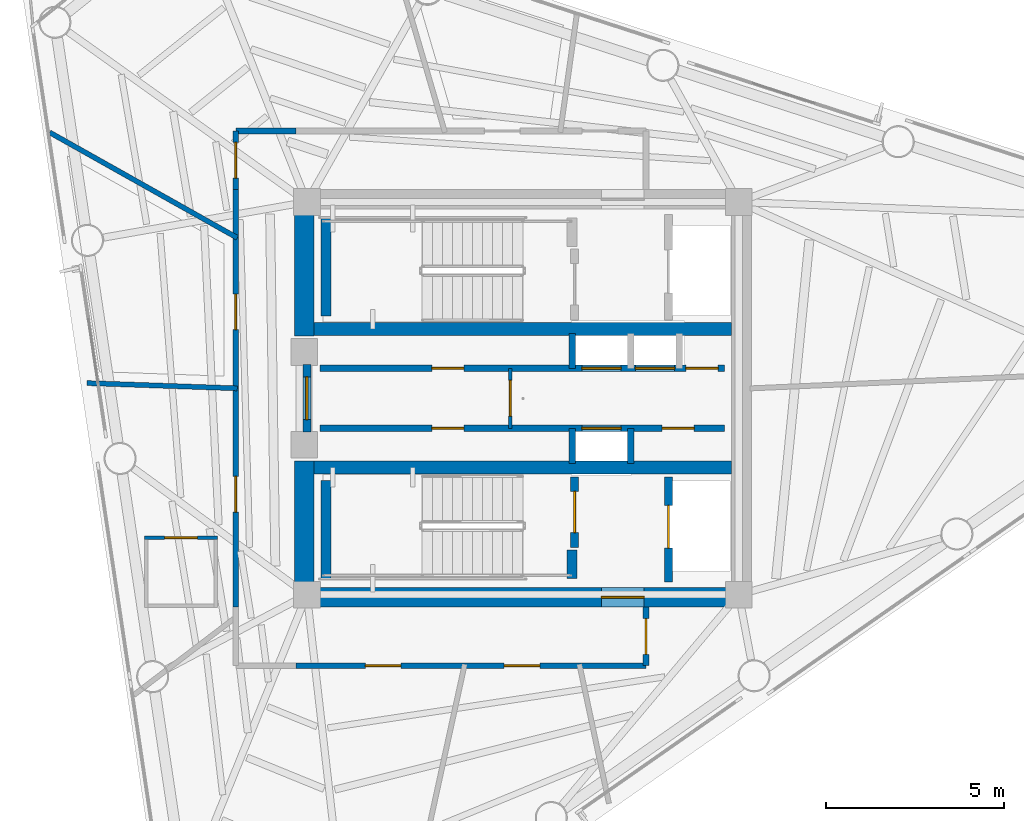
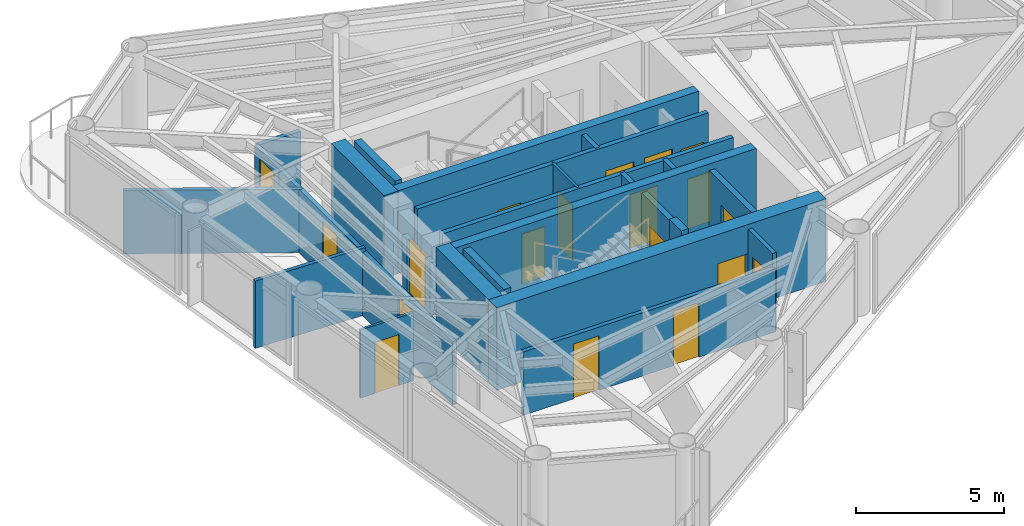
# One storey, part 5 of 9: 25 walls, 19 doors, 19 openings.
"""IFC4 building model written with IfcOpenShell, lengths in metres."""

from ifc_helpers import new_model, si_unit, direction, frame, frame_2d, origin, place, context, subcontext, project, spatial, rectangle, extrude, material, layer, layer_set, type_object, element, fill, save


model = new_model("IFC4")

# Units and contexts
model_context = context("Model", 3, precision=1e-05, world=origin(), true_north=direction((0.0, 1.0)))
body_context = subcontext(model_context, "Body", "Model", "MODEL_VIEW")
ifc_project = project(units=[si_unit("LENGTHUNIT", "METRE"), si_unit("AREAUNIT", "SQUARE_METRE"), si_unit("VOLUMEUNIT", "CUBIC_METRE"), si_unit("PLANEANGLEUNIT", "RADIAN"), si_unit("MASSUNIT", "GRAM", prefix="KILO")], contexts=[model_context])

# Site, building, storey
site_placement = place(None, origin())
site = spatial("IfcSite", under=ifc_project, at=site_placement, CompositionType="ELEMENT")
building_placement = place(site_placement, origin())
building = spatial("IfcBuilding", under=site, at=building_placement, Name="Yunling Apex Tower", CompositionType="ELEMENT")
storey_placement = place(building_placement, frame((0.0, 0.0, 257.550048828125)))
storey = spatial("IfcBuildingStorey", under=building, at=storey_placement, Name="L62", CompositionType="ELEMENT", Elevation=257.550048828125)

# Wall, opening, door
ifc_material_1 = material(Name="Concrete C40", Category="concrete")
ifc_layer_1 = layer(ifc_material_1, 0.550048828125)
ifc_layer_set_1 = layer_set([ifc_layer_1], Name="Concrete C40")
wall_type_1 = type_object("IfcWallType", Name="WL-COR-3", PredefinedType="SHEAR", material=ifc_layer_set_1)
wall_1_placement = place(storey_placement, frame((-6.39990234375, -5.574951171875, 0.0), z_axis=(0.0, 0.0, 1.0), x_axis=(1.0, 0.0, 0.0)))
wall_1 = element("IfcWall", 1, at=wall_1_placement, inside=storey, type_object=wall_type_1, Name="L62 South Core Shear Wall", PredefinedType="SHEAR", context=body_context, shape_type="SweptSolid", body=[
    extrude(rectangle(XDim=12.7998046875, YDim=0.550048828125, at=frame_2d((6.39990234375, 0.0))), origin(), (0.0, 0.0, 1.0), 3.39990234375),
])
opening_1_placement = place(wall_1_placement, frame((8.60009765625, 0.0, 0.0)))
opening_1 = element("IfcOpeningElement", 2, at=opening_1_placement, cuts=wall_1, Name="Opening DR-FFL-1", PredefinedType="OPENING", context=body_context, shape_type="SweptSolid", body=[
    extrude(rectangle(XDim=1.199951171875, YDim=2.199951171875, at=frame_2d((0.60009765625, 1.10009765625))), frame((0.0, 0.28515625, 0.0), z_axis=(0.0, -1.0, 0.0), x_axis=(1.0, 0.0, 0.0)), (0.0, 0.0, 1.0), 0.570068359375),
])
ifc_material_2 = material(Name="Steel Q355B", Category="steel")
door_type_1 = type_object("IfcDoorType", Name="DR-FFL-1", OperationType="NOTDEFINED", PredefinedType="DOOR", material=ifc_material_2)
door_1_placement = place(opening_1_placement, origin())
door_1 = element("IfcDoor", 3, at=door_1_placement, inside=storey, type_object=door_type_1, Name="L62 South Firefighting Lobby Door", OperationType="SINGLE_SWING_RIGHT", OverallHeight=2.199951171875, OverallWidth=1.199951171875, PredefinedType="DOOR", context=body_context, shape_type="SweptSolid", body=[
    extrude(rectangle(XDim=1.199951171875, YDim=2.199951171875, at=frame_2d((0.60009765625, 1.10009765625))), frame((0.0, 0.02490234375, 0.0), z_axis=(0.0, -1.0, 0.0), x_axis=(1.0, 0.0, 0.0)), (0.0, 0.0, 1.0), 0.050048828125),
])
fill(opening_1, door_1)

# Walls
for number, where, z_axis, x_axis, name in (
    (4, (-6.125, -5.300048828125, 0.0), (0.0, 0.0, 1.0), (0.0, 1.0, 0.0), "L62 West-South Core Shear Wall"),
    (5, (-6.125, 1.75, 0.0), (0.0, 0.0, 1.0), (0.0, 1.0, 0.0), "L62 West-North Core Shear Wall"),
):
    element("IfcWall", number, at=place(storey_placement, frame(where, z_axis=z_axis, x_axis=x_axis)), inside=storey, type_object=wall_type_1, Name=name, PredefinedType="SHEAR", context=body_context, shape_type="SweptSolid", body=[
        extrude(rectangle(XDim=3.550048828125, YDim=0.550048828125, at=frame_2d((1.77490234375, 0.0))), origin(), (0.0, 0.0, 1.0), 3.39990234375),
    ])
ifc_layer_2 = layer(ifc_material_1, 0.360107421875)
ifc_layer_set_2 = layer_set([ifc_layer_2], Name="Concrete C40")
wall_type_2 = type_object("IfcWallType", Name="WL-COR-4", PredefinedType="SHEAR", material=ifc_layer_set_2)
for number, where, z_axis, x_axis, name in (
    (6, (-5.85009765625, 1.93994140625, 0.0), (0.0, 0.0, 1.0), (1.0, 0.0, 0.0), "L62 North Internal Core Shear Wall"),
    (7, (-5.85009765625, -1.93994140625, 0.0), (0.0, 0.0, 1.0), (1.0, 0.0, 0.0), "L62 South Internal Core Shear Wall"),
):
    element("IfcWall", number, at=place(storey_placement, frame(where, z_axis=z_axis, x_axis=x_axis)), inside=storey, type_object=wall_type_2, Name=name, PredefinedType="SHEAR", context=body_context, shape_type="SweptSolid", body=[
        extrude(rectangle(XDim=11.7001953125, YDim=0.360107421875, at=frame_2d((5.85009765625, 0.0))), origin(), (0.0, 0.0, 1.0), 3.39990234375),
    ])
ifc_layer_3 = layer(ifc_material_1, 0.280029296875)
ifc_layer_set_3 = layer_set([ifc_layer_3], Name="Concrete C40")
wall_type_3 = type_object("IfcWallType", Name="WL-COR-8", PredefinedType="SHEAR", material=ifc_layer_set_3)
for number, where, z_axis, x_axis, name in (
    (8, (-5.52001953125, 2.300048828125, 0.0), (0.0, 0.0, 1.0), (0.0, 1.0, 0.0), "L62 ST-1 West Landing Bearing Wall"),
    (9, (-5.52001953125, -5.050048828125, 0.0), (0.0, 0.0, 1.0), (0.0, 1.0, 0.0), "L62 ST-2 West Landing Bearing Wall"),
):
    element("IfcWall", number, at=place(storey_placement, frame(where, z_axis=z_axis, x_axis=x_axis)), inside=storey, type_object=wall_type_3, Name=name, PredefinedType="SHEAR", context=body_context, shape_type="SweptSolid", body=[
        extrude(rectangle(XDim=2.75, YDim=0.280029296875, at=frame_2d((1.375, 0.0))), origin(), (0.0, 0.0, 1.0), 3.39990234375),
    ])
wall_2_placement = place(storey_placement, frame((1.3798828125, -5.050048828125, 0.0), z_axis=(0.0, 0.0, 1.0), x_axis=(0.0, 1.0, 0.0)))
element("IfcWall", 10, at=wall_2_placement, inside=storey, type_object=wall_type_3, Name="L62 ST-2 East Landing Bearing Pier", PredefinedType="SHEAR", context=body_context, shape_type="SweptSolid", body=[
    extrude(rectangle(XDim=0.800048828125, YDim=0.280029296875, at=frame_2d((0.39990234375, 0.0))), origin(), (0.0, 0.0, 1.0), 3.39990234375),
])

# Wall, opening, door
ifc_material_3 = material(Name="Gypsum board acoustic partition")
ifc_layer_4 = layer(ifc_material_3, 0.159912109375)
ifc_layer_set_4 = layer_set([ifc_layer_4], Name="Gypsum board acoustic partition")
wall_type_4 = type_object("IfcWallType", Name="WL-PRT-1", PredefinedType="PARTITIONING", material=ifc_layer_set_4)
wall_3_placement = place(storey_placement, frame((-8.0400390625, 5.85009765625, 0.0), z_axis=(0.0, 0.0, 1.0), x_axis=(0.0, 1.0, 0.0)))
wall_3 = element("IfcWall", 11, at=wall_3_placement, inside=storey, type_object=wall_type_4, Name="WL-CORR-L62-01", PredefinedType="PARTITIONING", context=body_context, shape_type="SweptSolid", body=[
    extrude(rectangle(XDim=1.639892578125, YDim=0.159912109375, at=frame_2d((0.81982421875, 0.0))), origin(), (0.0, 0.0, 1.0), 2.60498046875),
])
opening_2_placement = place(wall_3_placement, frame((0.320068359375, 0.0, 0.0)))
opening_2 = element("IfcOpeningElement", 12, at=opening_2_placement, cuts=wall_3, Name="Opening DR-OFF-1", PredefinedType="OPENING", context=body_context, shape_type="SweptSolid", body=[
    extrude(rectangle(XDim=1.0, YDim=2.25, at=frame_2d((0.5, 1.125))), frame((0.0, 0.08984375, 0.0), z_axis=(0.0, -1.0, 0.0), x_axis=(1.0, 0.0, 0.0)), (0.0, 0.0, 1.0), 0.179931640625),
])
ifc_material_4 = material(Name="Bronze anodised aluminium", Category="aluminium")
door_type_2 = type_object("IfcDoorType", Name="DR-OFF-1", OperationType="NOTDEFINED", PredefinedType="DOOR", material=ifc_material_4)
door_2_placement = place(opening_2_placement, origin())
door_2 = element("IfcDoor", 13, at=door_2_placement, inside=storey, type_object=door_type_2, Name="L62 Residents Music Lounge Door", OperationType="SINGLE_SWING_LEFT", OverallHeight=2.25, OverallWidth=1.0, PredefinedType="DOOR", context=body_context, shape_type="SweptSolid", body=[
    extrude(rectangle(XDim=1.0, YDim=2.25, at=frame_2d((0.5, 1.125))), frame((0.0, 0.02490234375, 0.0), z_axis=(0.0, -1.0, 0.0), x_axis=(1.0, 0.0, 0.0)), (0.0, 0.0, 1.0), 0.050048828125),
])
fill(opening_2, door_2)

# Wall
wall_4_placement = place(storey_placement, frame((-8.0400390625, 7.489990234375, 0.0), z_axis=(0.0, 0.0, 1.0), x_axis=(1.0, 0.0, 0.0)))
element("IfcWall", 14, at=wall_4_placement, inside=storey, type_object=wall_type_4, Name="WL-CORR-L62-02", PredefinedType="PARTITIONING", context=body_context, shape_type="SweptSolid", body=[
    extrude(rectangle(XDim=1.679931640625, YDim=0.159912109375, at=frame_2d((0.83984375, 0.0))), origin(), (0.0, 0.0, 1.0), 2.60498046875),
])

# Wall, opening, door
wall_5_placement = place(storey_placement, frame((3.449951171875, -5.85009765625, 0.0), z_axis=(0.0, 0.0, 1.0), x_axis=(0.0, -1.0, 0.0)))
wall_5 = element("IfcWall", 15, at=wall_5_placement, inside=storey, type_object=wall_type_4, Name="WL-CORR-L62-05", PredefinedType="PARTITIONING", context=body_context, shape_type="SweptSolid", body=[
    extrude(rectangle(XDim=1.639892578125, YDim=0.159912109375, at=frame_2d((0.81982421875, 0.0))), origin(), (0.0, 0.0, 1.0), 3.199951171875),
])
opening_3_placement = place(wall_5_placement, frame((0.320068359375, 0.0, 0.0)))
opening_3 = element("IfcOpeningElement", 16, at=opening_3_placement, cuts=wall_5, Name="Opening DR-OFF-1", PredefinedType="OPENING", context=body_context, shape_type="SweptSolid", body=[
    extrude(rectangle(XDim=1.0, YDim=2.25, at=frame_2d((0.5, 1.125))), frame((0.0, 0.08984375, 0.0), z_axis=(0.0, -1.0, 0.0), x_axis=(1.0, 0.0, 0.0)), (0.0, 0.0, 1.0), 0.179931640625),
])
door_3_placement = place(opening_3_placement, origin())
door_3 = element("IfcDoor", 17, at=door_3_placement, inside=storey, type_object=door_type_2, Name="L62 Wellness Yoga Club Door", OperationType="SINGLE_SWING_RIGHT", OverallHeight=2.25, OverallWidth=1.0, PredefinedType="DOOR", context=body_context, shape_type="SweptSolid", body=[
    extrude(rectangle(XDim=1.0, YDim=2.25, at=frame_2d((0.5, 1.125))), frame((0.0, 0.02490234375, 0.0), z_axis=(0.0, -1.0, 0.0), x_axis=(1.0, 0.0, 0.0)), (0.0, 0.0, 1.0), 0.050048828125),
])
fill(opening_3, door_3)

# Wall, openings, doors
wall_6_placement = place(storey_placement, frame((3.449951171875, -7.489990234375, 0.0), z_axis=(0.0, 0.0, 1.0), x_axis=(-1.0, 0.0, 0.0)))
wall_6 = element("IfcWall", 18, at=wall_6_placement, inside=storey, type_object=wall_type_4, Name="WL-CORR-L62-06", PredefinedType="PARTITIONING", context=body_context, shape_type="SweptSolid", body=[
    extrude(rectangle(XDim=9.81005859375, YDim=0.159912109375, at=frame_2d((4.905029296875, 0.0))), origin(), (0.0, 0.0, 1.0), 2.60498046875),
])
opening_4_placement = place(wall_6_placement, frame((2.972900390625, 0.0, 0.0)))
opening_4 = element("IfcOpeningElement", 19, at=opening_4_placement, cuts=wall_6, Name="Opening DR-OFF-1", PredefinedType="OPENING", context=body_context, shape_type="SweptSolid", body=[
    extrude(rectangle(XDim=1.0, YDim=2.25, at=frame_2d((0.5, 1.125))), frame((0.0, 0.08984375, 0.0), z_axis=(0.0, -1.0, 0.0), x_axis=(1.0, 0.0, 0.0)), (0.0, 0.0, 1.0), 0.179931640625),
])
opening_5_placement = place(wall_6_placement, frame((6.864501953125, 0.0, 0.0)))
opening_5 = element("IfcOpeningElement", 20, at=opening_5_placement, cuts=wall_6, Name="Opening DR-OFF-1", PredefinedType="OPENING", context=body_context, shape_type="SweptSolid", body=[
    extrude(rectangle(XDim=1.0, YDim=2.25, at=frame_2d((0.5, 1.125))), frame((0.0, 0.08984375, 0.0), z_axis=(0.0, -1.0, 0.0), x_axis=(1.0, 0.0, 0.0)), (0.0, 0.0, 1.0), 0.179931640625),
])
door_4_placement = place(opening_4_placement, origin())
door_4 = element("IfcDoor", 21, at=door_4_placement, inside=storey, type_object=door_type_2, Name="L62 Residents Music Lounge Door", OperationType="SINGLE_SWING_LEFT", OverallHeight=2.25, OverallWidth=1.0, PredefinedType="DOOR", context=body_context, shape_type="SweptSolid", body=[
    extrude(rectangle(XDim=1.0, YDim=2.25, at=frame_2d((0.5, 1.125))), frame((0.0, 0.02490234375, 0.0), z_axis=(0.0, -1.0, 0.0), x_axis=(1.0, 0.0, 0.0)), (0.0, 0.0, 1.0), 0.050048828125),
])
fill(opening_4, door_4)
door_5_placement = place(opening_5_placement, origin())
door_5 = element("IfcDoor", 22, at=door_5_placement, inside=storey, type_object=door_type_2, Name="L62 Wellness Yoga Club Door", OperationType="SINGLE_SWING_RIGHT", OverallHeight=2.25, OverallWidth=1.0, PredefinedType="DOOR", context=body_context, shape_type="SweptSolid", body=[
    extrude(rectangle(XDim=1.0, YDim=2.25, at=frame_2d((0.5, 1.125))), frame((0.0, 0.02490234375, 0.0), z_axis=(0.0, -1.0, 0.0), x_axis=(1.0, 0.0, 0.0)), (0.0, 0.0, 1.0), 0.050048828125),
])
fill(opening_5, door_5)

wall_7_placement = place(storey_placement, frame((-8.0400390625, -5.85009765625, 0.0), z_axis=(0.0, 0.0, 1.0), x_axis=(0.0, 1.0, 0.0)))
wall_7 = element("IfcWall", 23, at=wall_7_placement, inside=storey, type_object=wall_type_4, Name="WL-CORR-L62-09", PredefinedType="PARTITIONING", context=body_context, shape_type="SweptSolid", body=[
    extrude(rectangle(XDim=11.7001953125, YDim=0.159912109375, at=frame_2d((5.85009765625, 0.0))), origin(), (0.0, 0.0, 1.0), 2.60498046875),
])
opening_6_placement = place(wall_7_placement, frame((2.660888671875, 0.0, 0.0)))
opening_6 = element("IfcOpeningElement", 24, at=opening_6_placement, cuts=wall_7, Name="Opening DR-OFF-1", PredefinedType="OPENING", context=body_context, shape_type="SweptSolid", body=[
    extrude(rectangle(XDim=1.0, YDim=2.25, at=frame_2d((0.5, 1.125))), frame((0.0, 0.08984375, 0.0), z_axis=(0.0, -1.0, 0.0), x_axis=(1.0, 0.0, 0.0)), (0.0, 0.0, 1.0), 0.179931640625),
])
opening_7_placement = place(wall_7_placement, frame((7.771484375, 0.0, 0.0)))
opening_7 = element("IfcOpeningElement", 25, at=opening_7_placement, cuts=wall_7, Name="Opening DR-OFF-1", PredefinedType="OPENING", context=body_context, shape_type="SweptSolid", body=[
    extrude(rectangle(XDim=1.0, YDim=2.25, at=frame_2d((0.5, 1.125))), frame((0.0, 0.08984375, 0.0), z_axis=(0.0, -1.0, 0.0), x_axis=(1.0, 0.0, 0.0)), (0.0, 0.0, 1.0), 0.179931640625),
])
door_6_placement = place(opening_6_placement, origin())
door_6 = element("IfcDoor", 26, at=door_6_placement, inside=storey, type_object=door_type_2, Name="L62 Residents Music Lounge Door", OperationType="SINGLE_SWING_LEFT", OverallHeight=2.25, OverallWidth=1.0, PredefinedType="DOOR", context=body_context, shape_type="SweptSolid", body=[
    extrude(rectangle(XDim=1.0, YDim=2.25, at=frame_2d((0.5, 1.125))), frame((0.0, 0.02490234375, 0.0), z_axis=(0.0, -1.0, 0.0), x_axis=(1.0, 0.0, 0.0)), (0.0, 0.0, 1.0), 0.050048828125),
])
fill(opening_6, door_6)
door_7_placement = place(opening_7_placement, origin())
door_7 = element("IfcDoor", 27, at=door_7_placement, inside=storey, type_object=door_type_2, Name="L62 Wellness Yoga Club Door", OperationType="SINGLE_SWING_RIGHT", OverallHeight=2.25, OverallWidth=1.0, PredefinedType="DOOR", context=body_context, shape_type="SweptSolid", body=[
    extrude(rectangle(XDim=1.0, YDim=2.25, at=frame_2d((0.5, 1.125))), frame((0.0, 0.02490234375, 0.0), z_axis=(0.0, -1.0, 0.0), x_axis=(1.0, 0.0, 0.0)), (0.0, 0.0, 1.0), 0.050048828125),
])
fill(opening_7, door_7)

# Walls
ifc_layer_5 = layer(ifc_material_3, 0.139892578125)
ifc_layer_set_5 = layer_set([ifc_layer_5], Name="Gypsum board acoustic partition")
wall_type_5 = type_object("IfcWallType", Name="WL-PRT-2", PredefinedType="PARTITIONING", material=ifc_layer_set_5)
wall_8_placement = place(storey_placement, frame((-8.0, 4.49560546875, 0.0), z_axis=(0.0, 0.0, 1.0), x_axis=(-0.871799326596, 0.489863179008, 0.0)))
element("IfcWall", 28, at=wall_8_placement, inside=storey, type_object=wall_type_5, Name="WL-RAD-L62-04", PredefinedType="PARTITIONING", context=body_context, shape_type="SweptSolid", body=[
    extrude(rectangle(XDim=6.028564453125, YDim=0.139892578125, at=frame_2d((3.01416015625, 0.0))), origin(), (0.0, 0.0, 1.0), 2.60498046875),
])
wall_9_placement = place(storey_placement, frame((-8.0, 0.279296875, 0.0), z_axis=(0.0, 0.0, 1.0), x_axis=(-0.999390047844, 0.034921802229, 0.0)))
element("IfcWall", 29, at=wall_9_placement, inside=storey, type_object=wall_type_5, Name="WL-RAD-L62-05", PredefinedType="PARTITIONING", context=body_context, shape_type="SweptSolid", body=[
    extrude(rectangle(XDim=4.208740234375, YDim=0.139892578125, at=frame_2d((2.1044921875, 0.0))), origin(), (0.0, 0.0, 1.0), 2.764892578125),
])

# Wall, opening, door
ifc_layer_6 = layer(ifc_material_3, 0.10009765625)
ifc_layer_set_6 = layer_set([ifc_layer_6], Name="Gypsum board acoustic partition")
wall_type_6 = type_object("IfcWallType", Name="WL-PRT-4", PredefinedType="PARTITIONING", material=ifc_layer_set_6)
wall_10_placement = place(storey_placement, frame((-0.35009765625, -0.840087890625, 0.0), z_axis=(0.0, 0.0, 1.0), x_axis=(0.0, 1.0, 0.0)))
wall_10 = element("IfcWall", 30, at=wall_10_placement, inside=storey, type_object=wall_type_6, Name="WL-LOB-MID-L62", PredefinedType="PARTITIONING", context=body_context, shape_type="SweptSolid", body=[
    extrude(rectangle(XDim=1.68017578125, YDim=0.10009765625, at=frame_2d((0.840087890625, 0.0))), origin(), (0.0, 0.0, 1.0), 3.199951171875),
])
opening_8_placement = place(wall_10_placement, frame((0.340087890625, 0.0, 0.0)))
opening_8 = element("IfcOpeningElement", 31, at=opening_8_placement, cuts=wall_10, Name="Opening DR-OFF-1", PredefinedType="OPENING", context=body_context, shape_type="SweptSolid", body=[
    extrude(rectangle(XDim=1.0, YDim=2.25, at=frame_2d((0.5, 1.125))), frame((0.0, 0.06005859375, 0.0), z_axis=(0.0, -1.0, 0.0), x_axis=(1.0, 0.0, 0.0)), (0.0, 0.0, 1.0), 0.1201171875),
])
door_8_placement = place(opening_8_placement, origin())
door_8 = element("IfcDoor", 32, at=door_8_placement, inside=storey, type_object=door_type_2, Name="L62 Core Lobby Link Door", OperationType="SINGLE_SWING_LEFT", OverallHeight=2.25, OverallWidth=1.0, PredefinedType="DOOR", context=body_context, shape_type="SweptSolid", body=[
    extrude(rectangle(XDim=1.0, YDim=2.25, at=frame_2d((0.5, 1.125))), frame((0.0, 0.02490234375, 0.0), z_axis=(0.0, -1.0, 0.0), x_axis=(1.0, 0.0, 0.0)), (0.0, 0.0, 1.0), 0.050048828125),
])
fill(opening_8, door_8)

wall_11_placement = place(storey_placement, frame((-10.60302734375, -3.906982421875, 0.0), z_axis=(0.0, 0.0, 1.0), x_axis=(1.0, 0.0, 0.0)))
wall_11 = element("IfcWall", 33, at=wall_11_placement, inside=storey, type_object=wall_type_6, Name="WL-L62-RWC1N", PredefinedType="PARTITIONING", context=body_context, shape_type="SweptSolid", body=[
    extrude(rectangle(XDim=2.050048828125, YDim=0.10009765625, at=frame_2d((1.02490234375, 0.0))), origin(), (0.0, 0.0, 1.0), 2.804931640625),
])
opening_9_placement = place(wall_11_placement, frame((0.56494140625, 0.0, 0.0)))
opening_9 = element("IfcOpeningElement", 34, at=opening_9_placement, cuts=wall_11, Name="Opening DR-WC-1", PredefinedType="OPENING", context=body_context, shape_type="SweptSolid", body=[
    extrude(rectangle(XDim=0.919921875, YDim=2.10009765625, at=frame_2d((0.4599609375, 1.050048828125))), frame((0.0, 0.06005859375, 0.0), z_axis=(0.0, -1.0, 0.0), x_axis=(1.0, 0.0, 0.0)), (0.0, 0.0, 1.0), 0.1201171875),
])
ifc_material_5 = material(Name="Timber moisture-resistant leaf", Category="wood")
door_type_3 = type_object("IfcDoorType", Name="DR-WC-1", OperationType="NOTDEFINED", PredefinedType="DOOR", material=ifc_material_5)
door_9_placement = place(opening_9_placement, origin())
door_9 = element("IfcDoor", 35, at=door_9_placement, inside=storey, type_object=door_type_3, Name="L62 Accessible WC Door", OperationType="SINGLE_SWING_RIGHT", OverallHeight=2.10009765625, OverallWidth=0.919921875, PredefinedType="DOOR", context=body_context, shape_type="SweptSolid", body=[
    extrude(rectangle(XDim=0.919921875, YDim=2.10009765625, at=frame_2d((0.4599609375, 1.050048828125))), frame((0.0, 0.02490234375, 0.0), z_axis=(0.0, -1.0, 0.0), x_axis=(1.0, 0.0, 0.0)), (0.0, 0.0, 1.0), 0.050048828125),
])
fill(opening_9, door_9)

ifc_material_6 = material(Name="Autoclaved aerated concrete masonry", Category="masonry")
ifc_layer_7 = layer(ifc_material_6, 0.219970703125)
ifc_layer_set_7 = layer_set([ifc_layer_7], Name="Autoclaved aerated concrete masonry")
wall_type_7 = type_object("IfcWallType", Name="WL-SHF-1", PredefinedType="PLUMBINGWALL", material=ifc_layer_set_7)
wall_12_placement = place(storey_placement, frame((-6.050048828125, -0.949951171875, 0.0), z_axis=(0.0, 0.0, 1.0), x_axis=(0.0, 1.0, 0.0)))
wall_12 = element("IfcWall", 36, at=wall_12_placement, inside=storey, type_object=wall_type_7, Name="WL-COR-WPORT-L62", PredefinedType="PLUMBINGWALL", context=body_context, shape_type="SweptSolid", body=[
    extrude(rectangle(XDim=1.89990234375, YDim=0.219970703125, at=frame_2d((0.949951171875, 0.0))), origin(), (0.0, 0.0, 1.0), 2.179931640625),
])
opening_10_placement = place(wall_12_placement, frame((0.35009765625, 0.0, 0.0)))
opening_10 = element("IfcOpeningElement", 37, at=opening_10_placement, cuts=wall_12, Name="Opening DR-FFL-1", PredefinedType="OPENING", context=body_context, shape_type="SweptSolid", body=[
    extrude(rectangle(XDim=1.199951171875, YDim=2.199951171875, at=frame_2d((0.60009765625, 1.10009765625))), frame((0.0, 0.1201171875, 0.0), z_axis=(0.0, -1.0, 0.0), x_axis=(1.0, 0.0, 0.0)), (0.0, 0.0, 1.0), 0.239990234375),
])
door_10_placement = place(opening_10_placement, origin())
door_10 = element("IfcDoor", 38, at=door_10_placement, inside=storey, type_object=door_type_1, Name="L62 Passenger Lift Lobby Entrance Door", OperationType="SINGLE_SWING_LEFT", OverallHeight=2.199951171875, OverallWidth=1.199951171875, PredefinedType="DOOR", context=body_context, shape_type="SweptSolid", body=[
    extrude(rectangle(XDim=1.199951171875, YDim=2.199951171875, at=frame_2d((0.60009765625, 1.10009765625))), frame((0.0, 0.02490234375, 0.0), z_axis=(0.0, -1.0, 0.0), x_axis=(1.0, 0.0, 0.0)), (0.0, 0.0, 1.0), 0.050048828125),
])
fill(opening_10, door_10)

wall_13_placement = place(storey_placement, frame((1.449951171875, -4.179931640625, 0.0), z_axis=(0.0, 0.0, 1.0), x_axis=(0.0, 1.0, 0.0)))
wall_13 = element("IfcWall", 39, at=wall_13_placement, inside=storey, type_object=wall_type_7, Name="WL-ST2-E-L62", PredefinedType="PLUMBINGWALL", context=body_context, shape_type="SweptSolid", body=[
    extrude(rectangle(XDim=1.97998046875, YDim=0.219970703125, at=frame_2d((0.989990234375, 0.0))), origin(), (0.0, 0.0, 1.0), 3.199951171875),
])
opening_11_placement = place(wall_13_placement, frame((0.419921875, 0.0, 0.0)))
opening_11 = element("IfcOpeningElement", 40, at=opening_11_placement, cuts=wall_13, Name="Opening DR-ST-1", PredefinedType="OPENING", context=body_context, shape_type="SweptSolid", body=[
    extrude(rectangle(XDim=1.14990234375, YDim=2.14990234375, at=frame_2d((0.574951171875, 1.074951171875))), frame((0.0, 0.1201171875, 0.0), z_axis=(0.0, -1.0, 0.0), x_axis=(1.0, 0.0, 0.0)), (0.0, 0.0, 1.0), 0.239990234375),
])
door_type_4 = type_object("IfcDoorType", Name="DR-ST-1", OperationType="NOTDEFINED", PredefinedType="DOOR", material=ifc_material_2)
door_11_placement = place(opening_11_placement, origin())
door_11 = element("IfcDoor", 41, at=door_11_placement, inside=storey, type_object=door_type_4, Name="L62 Stair ST-2 Fire Door", OperationType="SINGLE_SWING_RIGHT", OverallHeight=2.14990234375, OverallWidth=1.14990234375, PredefinedType="DOOR", context=body_context, shape_type="SweptSolid", body=[
    extrude(rectangle(XDim=1.14990234375, YDim=2.14990234375, at=frame_2d((0.574951171875, 1.074951171875))), frame((0.0, 0.02490234375, 0.0), z_axis=(0.0, -1.0, 0.0), x_axis=(1.0, 0.0, 0.0)), (0.0, 0.0, 1.0), 0.050048828125),
])
fill(opening_11, door_11)

wall_14_placement = place(storey_placement, frame((4.080078125, -5.14990234375, 0.0), z_axis=(0.0, 0.0, 1.0), x_axis=(0.0, 1.0, 0.0)))
wall_14 = element("IfcWall", 42, at=wall_14_placement, inside=storey, type_object=wall_type_7, Name="WL-FFL2-W-L62", PredefinedType="PLUMBINGWALL", context=body_context, shape_type="SweptSolid", body=[
    extrude(rectangle(XDim=2.949951171875, YDim=0.219970703125, at=frame_2d((1.47509765625, 0.0))), origin(), (0.0, 0.0, 1.0), 3.199951171875),
])
opening_12_placement = place(wall_14_placement, frame((0.949951171875, 0.0, 0.0)))
opening_12 = element("IfcOpeningElement", 43, at=opening_12_placement, cuts=wall_14, Name="Opening LD-FFL-1", PredefinedType="OPENING", context=body_context, shape_type="SweptSolid", body=[
    extrude(rectangle(XDim=1.199951171875, YDim=2.25, at=frame_2d((0.60009765625, 1.125))), frame((0.0, 0.1201171875, 0.0), z_axis=(0.0, -1.0, 0.0), x_axis=(1.0, 0.0, 0.0)), (0.0, 0.0, 1.0), 0.239990234375),
])
door_type_5 = type_object("IfcDoorType", Name="LD-FFL-1", OperationType="DOUBLE_DOOR_SLIDING", PredefinedType="DOOR", material=ifc_material_2)
door_12_placement = place(opening_12_placement, origin())
door_12 = element("IfcDoor", 44, at=door_12_placement, inside=storey, type_object=door_type_5, Name="L62 Lift FFL-2 Landing Door", OperationType="DOUBLE_DOOR_SLIDING", OverallHeight=2.25, OverallWidth=1.199951171875, PredefinedType="DOOR", context=body_context, shape_type="SweptSolid", body=[
    extrude(rectangle(XDim=1.199951171875, YDim=2.25, at=frame_2d((0.60009765625, 1.125))), frame((0.0, 0.02490234375, 0.0), z_axis=(0.0, -1.0, 0.0), x_axis=(1.0, 0.0, 0.0)), (0.0, 0.0, 1.0), 0.050048828125),
])
fill(opening_12, door_12)

# Walls
ifc_layer_8 = layer(ifc_material_6, 0.179931640625)
ifc_layer_set_8 = layer_set([ifc_layer_8], Name="Autoclaved aerated concrete masonry")
wall_type_8 = type_object("IfcWallType", Name="WL-SHF-2", PredefinedType="PLUMBINGWALL", material=ifc_layer_set_8)
for number, where, z_axis, x_axis, name in (
    (45, (1.3798828125, 0.840087890625, 0.0), (0.0, 0.0, 1.0), (0.0, 1.0, 0.0), "WL-BNK-MH-N-L62"),
    (46, (1.3798828125, -1.820068359375, 0.0), (0.0, 0.0, 1.0), (0.0, 1.0, 0.0), "WL-BNK-MH-S-L62"),
    (47, (3.02001953125, -1.820068359375, 0.0), (0.0, 0.0, 1.0), (0.0, 1.0, 0.0), "WL-END-H2E-L62"),
):
    element("IfcWall", number, at=place(storey_placement, frame(where, z_axis=z_axis, x_axis=x_axis)), inside=storey, type_object=wall_type_8, Name=name, PredefinedType="PLUMBINGWALL", context=body_context, shape_type="SweptSolid", body=[
        extrude(rectangle(XDim=0.97998046875, YDim=0.179931640625, at=frame_2d((0.489990234375, 0.0))), origin(), (0.0, 0.0, 1.0), 3.199951171875),
    ])

# Wall, openings, doors
wall_15_placement = place(storey_placement, frame((-5.679931640625, 0.840087890625, 0.0), z_axis=(0.0, 0.0, 1.0), x_axis=(1.0, 0.0, 0.0)))
wall_15 = element("IfcWall", 48, at=wall_15_placement, inside=storey, type_object=wall_type_8, Name="WL-LOB-N-L62", PredefinedType="PLUMBINGWALL", context=body_context, shape_type="SweptSolid", body=[
    extrude(rectangle(XDim=11.329833984375, YDim=0.179931640625, at=frame_2d((5.6650390625, 0.0))), origin(), (0.0, 0.0, 1.0), 3.199951171875),
])
opening_13_placement = place(wall_15_placement, frame((3.1298828125, 0.0, 0.0)))
opening_13 = element("IfcOpeningElement", 49, at=opening_13_placement, cuts=wall_15, Name="Opening DR-SHF-1", PredefinedType="OPENING", context=body_context, shape_type="SweptSolid", body=[
    extrude(rectangle(XDim=0.89990234375, YDim=2.050048828125, at=frame_2d((0.449951171875, 1.02490234375))), frame((0.0, 0.10009765625, 0.0), z_axis=(0.0, -1.0, 0.0), x_axis=(1.0, 0.0, 0.0)), (0.0, 0.0, 1.0), 0.199951171875),
])
opening_14_placement = place(wall_15_placement, frame((7.330078125, 0.0, 0.0)))
opening_14 = element("IfcOpeningElement", 50, at=opening_14_placement, cuts=wall_15, Name="Opening LD-PAS-1", PredefinedType="OPENING", context=body_context, shape_type="SweptSolid", body=[
    extrude(rectangle(XDim=1.10009765625, YDim=2.199951171875, at=frame_2d((0.550048828125, 1.10009765625))), frame((0.0, 0.10009765625, 0.0), z_axis=(0.0, -1.0, 0.0), x_axis=(1.0, 0.0, 0.0)), (0.0, 0.0, 1.0), 0.199951171875),
])
opening_15_placement = place(wall_15_placement, frame((8.830078125, 0.0, 0.0)))
opening_15 = element("IfcOpeningElement", 51, at=opening_15_placement, cuts=wall_15, Name="Opening LD-PAS-1", PredefinedType="OPENING", context=body_context, shape_type="SweptSolid", body=[
    extrude(rectangle(XDim=1.10009765625, YDim=2.199951171875, at=frame_2d((0.550048828125, 1.10009765625))), frame((0.0, 0.10009765625, 0.0), z_axis=(0.0, -1.0, 0.0), x_axis=(1.0, 0.0, 0.0)), (0.0, 0.0, 1.0), 0.199951171875),
])
opening_16_placement = place(wall_15_placement, frame((10.25, 0.0, 0.0)))
opening_16 = element("IfcOpeningElement", 52, at=opening_16_placement, cuts=wall_15, Name="Opening DR-SHF-1", PredefinedType="OPENING", context=body_context, shape_type="SweptSolid", body=[
    extrude(rectangle(XDim=0.89990234375, YDim=2.050048828125, at=frame_2d((0.449951171875, 1.02490234375))), frame((0.0, 0.10009765625, 0.0), z_axis=(0.0, -1.0, 0.0), x_axis=(1.0, 0.0, 0.0)), (0.0, 0.0, 1.0), 0.199951171875),
])
door_type_6 = type_object("IfcDoorType", Name="DR-SHF-1", OperationType="NOTDEFINED", PredefinedType="DOOR", material=ifc_material_2)
door_13_placement = place(opening_13_placement, origin())
door_13 = element("IfcDoor", 53, at=door_13_placement, inside=storey, type_object=door_type_6, Name="L62 Data Plant Door", OperationType="SINGLE_SWING_RIGHT", OverallHeight=2.050048828125, OverallWidth=0.89990234375, PredefinedType="DOOR", context=body_context, shape_type="SweptSolid", body=[
    extrude(rectangle(XDim=0.89990234375, YDim=2.050048828125, at=frame_2d((0.449951171875, 1.02490234375))), frame((0.0, 0.02490234375, 0.0), z_axis=(0.0, -1.0, 0.0), x_axis=(1.0, 0.0, 0.0)), (0.0, 0.0, 1.0), 0.050048828125),
])
fill(opening_13, door_13)
door_14_placement = place(opening_16_placement, origin())
door_14 = element("IfcDoor", 54, at=door_14_placement, inside=storey, type_object=door_type_6, Name="L62 Core Janitor Closet Door", OperationType="SINGLE_SWING_LEFT", OverallHeight=2.050048828125, OverallWidth=0.89990234375, PredefinedType="DOOR", context=body_context, shape_type="SweptSolid", body=[
    extrude(rectangle(XDim=0.89990234375, YDim=2.050048828125, at=frame_2d((0.449951171875, 1.02490234375))), frame((0.0, 0.02490234375, 0.0), z_axis=(0.0, -1.0, 0.0), x_axis=(1.0, 0.0, 0.0)), (0.0, 0.0, 1.0), 0.050048828125),
])
fill(opening_16, door_14)
ifc_material_7 = material(Name="Silver anodised aluminium", Category="aluminium")
door_type_7 = type_object("IfcDoorType", Name="LD-PAS-1", OperationType="DOUBLE_DOOR_SLIDING", PredefinedType="DOOR", material=ifc_material_7)
door_15_placement = place(opening_14_placement, origin())
door_15 = element("IfcDoor", 55, at=door_15_placement, inside=storey, type_object=door_type_7, Name="L62 Lift PL-H1 Landing Door", OperationType="DOUBLE_DOOR_SLIDING", OverallHeight=2.199951171875, OverallWidth=1.10009765625, PredefinedType="DOOR", context=body_context, shape_type="SweptSolid", body=[
    extrude(rectangle(XDim=1.10009765625, YDim=2.199951171875, at=frame_2d((0.550048828125, 1.10009765625))), frame((0.0, 0.02490234375, 0.0), z_axis=(0.0, -1.0, 0.0), x_axis=(1.0, 0.0, 0.0)), (0.0, 0.0, 1.0), 0.050048828125),
])
fill(opening_14, door_15)
door_16_placement = place(opening_15_placement, origin())
door_16 = element("IfcDoor", 56, at=door_16_placement, inside=storey, type_object=door_type_7, Name="L62 Lift PL-H3 Landing Door", OperationType="DOUBLE_DOOR_SLIDING", OverallHeight=2.199951171875, OverallWidth=1.10009765625, PredefinedType="DOOR", context=body_context, shape_type="SweptSolid", body=[
    extrude(rectangle(XDim=1.10009765625, YDim=2.199951171875, at=frame_2d((0.550048828125, 1.10009765625))), frame((0.0, 0.02490234375, 0.0), z_axis=(0.0, -1.0, 0.0), x_axis=(1.0, 0.0, 0.0)), (0.0, 0.0, 1.0), 0.050048828125),
])
fill(opening_15, door_16)

wall_16_placement = place(storey_placement, frame((-5.679931640625, -0.840087890625, 0.0), z_axis=(0.0, 0.0, 1.0), x_axis=(1.0, 0.0, 0.0)))
wall_16 = element("IfcWall", 57, at=wall_16_placement, inside=storey, type_object=wall_type_8, Name="WL-LOB-S-L62", PredefinedType="PLUMBINGWALL", context=body_context, shape_type="SweptSolid", body=[
    extrude(rectangle(XDim=11.329833984375, YDim=0.179931640625, at=frame_2d((5.6650390625, 0.0))), origin(), (0.0, 0.0, 1.0), 3.199951171875),
])
opening_17_placement = place(wall_16_placement, frame((3.1298828125, 0.0, 0.0)))
opening_17 = element("IfcOpeningElement", 58, at=opening_17_placement, cuts=wall_16, Name="Opening DR-SHF-1", PredefinedType="OPENING", context=body_context, shape_type="SweptSolid", body=[
    extrude(rectangle(XDim=0.89990234375, YDim=2.050048828125, at=frame_2d((0.449951171875, 1.02490234375))), frame((0.0, 0.10009765625, 0.0), z_axis=(0.0, -1.0, 0.0), x_axis=(1.0, 0.0, 0.0)), (0.0, 0.0, 1.0), 0.199951171875),
])
opening_18_placement = place(wall_16_placement, frame((7.330078125, 0.0, 0.0)))
opening_18 = element("IfcOpeningElement", 59, at=opening_18_placement, cuts=wall_16, Name="Opening LD-PAS-1", PredefinedType="OPENING", context=body_context, shape_type="SweptSolid", body=[
    extrude(rectangle(XDim=1.10009765625, YDim=2.199951171875, at=frame_2d((0.550048828125, 1.10009765625))), frame((0.0, 0.10009765625, 0.0), z_axis=(0.0, -1.0, 0.0), x_axis=(1.0, 0.0, 0.0)), (0.0, 0.0, 1.0), 0.199951171875),
])
opening_19_placement = place(wall_16_placement, frame((9.580078125, 0.0, 0.0)))
opening_19 = element("IfcOpeningElement", 60, at=opening_19_placement, cuts=wall_16, Name="Opening DR-SHF-1", PredefinedType="OPENING", context=body_context, shape_type="SweptSolid", body=[
    extrude(rectangle(XDim=0.89990234375, YDim=2.050048828125, at=frame_2d((0.449951171875, 1.02490234375))), frame((0.0, 0.10009765625, 0.0), z_axis=(0.0, -1.0, 0.0), x_axis=(1.0, 0.0, 0.0)), (0.0, 0.0, 1.0), 0.199951171875),
])
door_17_placement = place(opening_17_placement, origin())
door_17 = element("IfcDoor", 61, at=door_17_placement, inside=storey, type_object=door_type_6, Name="L62 Housekeeping Store Door", OperationType="SINGLE_SWING_RIGHT", OverallHeight=2.050048828125, OverallWidth=0.89990234375, PredefinedType="DOOR", context=body_context, shape_type="SweptSolid", body=[
    extrude(rectangle(XDim=0.89990234375, YDim=2.050048828125, at=frame_2d((0.449951171875, 1.02490234375))), frame((0.0, 0.02490234375, 0.0), z_axis=(0.0, -1.0, 0.0), x_axis=(1.0, 0.0, 0.0)), (0.0, 0.0, 1.0), 0.050048828125),
])
fill(opening_17, door_17)
door_18_placement = place(opening_19_placement, origin())
door_18 = element("IfcDoor", 62, at=door_18_placement, inside=storey, type_object=door_type_6, Name="L62 Core MEP Service Door", OperationType="SINGLE_SWING_LEFT", OverallHeight=2.050048828125, OverallWidth=0.89990234375, PredefinedType="DOOR", context=body_context, shape_type="SweptSolid", body=[
    extrude(rectangle(XDim=0.89990234375, YDim=2.050048828125, at=frame_2d((0.449951171875, 1.02490234375))), frame((0.0, 0.02490234375, 0.0), z_axis=(0.0, -1.0, 0.0), x_axis=(1.0, 0.0, 0.0)), (0.0, 0.0, 1.0), 0.050048828125),
])
fill(opening_19, door_18)
door_19_placement = place(opening_18_placement, origin())
door_19 = element("IfcDoor", 63, at=door_19_placement, inside=storey, type_object=door_type_7, Name="L62 Lift PL-H2 Landing Door", OperationType="DOUBLE_DOOR_SLIDING", OverallHeight=2.199951171875, OverallWidth=1.10009765625, PredefinedType="DOOR", context=body_context, shape_type="SweptSolid", body=[
    extrude(rectangle(XDim=1.10009765625, YDim=2.199951171875, at=frame_2d((0.550048828125, 1.10009765625))), frame((0.0, 0.02490234375, 0.0), z_axis=(0.0, -1.0, 0.0), x_axis=(1.0, 0.0, 0.0)), (0.0, 0.0, 1.0), 0.050048828125),
])
fill(opening_18, door_19)

save(model, "model.ifc")
